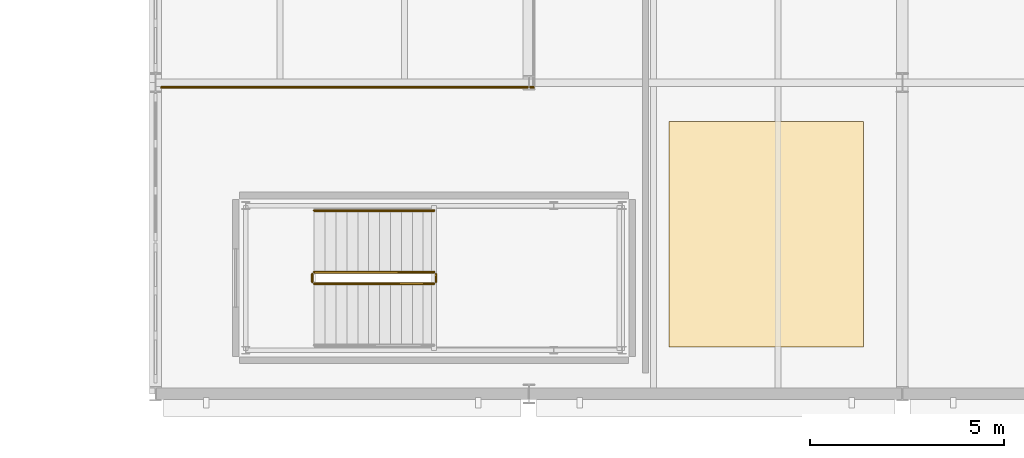
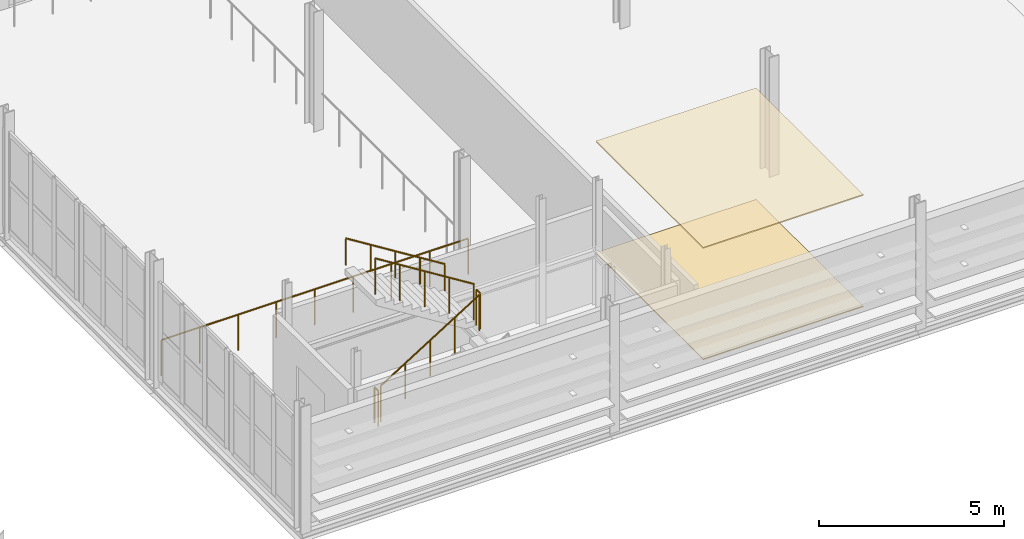
# One storey, part 68 of 78: 6 railings, 2 coverings.
"""IFC4 building model written with IfcOpenShell, lengths in metres."""

from ifc_helpers import new_model, si_unit, direction, frame, origin, origin_2d, place, context, subcontext, project, spatial, polyline, circle, outline, extrude, material, layer, layer_set, type_object, element, save


model = new_model("IFC4")

# Units and contexts
model_context = context("Model", 3, precision=1e-05, world=origin(), true_north=direction((0.0, 1.0)))
body_context = subcontext(model_context, "Body", "Model", "MODEL_VIEW")
ifc_project = project(units=[si_unit("LENGTHUNIT", "METRE"), si_unit("AREAUNIT", "SQUARE_METRE"), si_unit("VOLUMEUNIT", "CUBIC_METRE"), si_unit("PLANEANGLEUNIT", "RADIAN"), si_unit("MASSUNIT", "GRAM", prefix="KILO")], contexts=[model_context])

# Site, building, storey
site_placement = place(None, origin())
site = spatial("IfcSite", under=ifc_project, at=site_placement, CompositionType="ELEMENT")
building_placement = place(site_placement, origin())
building = spatial("IfcBuilding", under=site, at=building_placement, Name="Alderhovde Museum", CompositionType="ELEMENT")
storey_placement = place(building_placement, frame((0.0, 0.0, 4.5)))
storey = spatial("IfcBuildingStorey", under=building, at=storey_placement, Name="L01", CompositionType="ELEMENT", Elevation=4.5)

# Coverings
ifc_material_1 = material(Name="Perforated Gypsum Acoustic Ceiling")
ifc_layer_1 = layer(ifc_material_1, 0.0400390625)
ifc_layer_set_1 = layer_set([ifc_layer_1], Name="Perforated Gypsum Acoustic Ceiling")
covering_type_1 = type_object("IfcCoveringType", Name="COV-CEIL-ACOU", PredefinedType="CEILING", material=ifc_layer_set_1)
covering_1_placement = place(storey_placement, frame((0.0, 0.0, 3.669921875)))
element("IfcCovering", 1, at=covering_1_placement, inside=storey, type_object=covering_type_1, Name="L01 Acoustic Gallery Ceiling 3", PredefinedType="CEILING", context=body_context, shape_type="SweptSolid", body=[
    extrude(outline(polyline([(32.39990234375, 49.199951171875), (37.39990234375, 49.199951171875), (37.39990234375, 55.0), (32.39990234375, 55.0), (32.39990234375, 49.199951171875)])), origin(), (0.0, 0.0, 1.0), 0.0400390625),
])
ifc_material_2 = material(Name="Honed Nordic Granite Terrazzo Flooring", Category="masonry")
ifc_layer_2 = layer(ifc_material_2, 0.030029296875)
ifc_layer_set_2 = layer_set([ifc_layer_2], Name="Honed Nordic Granite Terrazzo Flooring")
covering_type_2 = type_object("IfcCoveringType", Name="COV-FLR-TERRAZZO", PredefinedType="FLOORING", material=ifc_layer_set_2)
covering_2_placement = place(storey_placement, origin())
element("IfcCovering", 2, at=covering_2_placement, inside=storey, type_object=covering_type_2, Name="L01 Granite Terrazzo Flooring 3", PredefinedType="FLOORING", context=body_context, shape_type="SweptSolid", body=[
    extrude(outline(polyline([(32.39990234375, 49.199951171875), (37.39990234375, 49.199951171875), (37.39990234375, 55.0), (32.39990234375, 55.0), (32.39990234375, 49.199951171875)])), origin(), (0.0, 0.0, 1.0), 0.030029296875),
])

# Railings
ifc_material_3 = material(Name="Painted Steel S355 Guardrail", Category="steel")
railing_type_1 = type_object("IfcRailingType", Name="RL-GUARD-1200", PredefinedType="GUARDRAIL", material=ifc_material_3)
railing_1_placement = place(storey_placement, frame((23.280029296875, 50.830078125, 0.175048828125)))
element("IfcRailing", 3, at=railing_1_placement, inside=storey, type_object=railing_type_1, Name="L01 ST1 stair guard 1", PredefinedType="GUARDRAIL", context=body_context, shape_type="SweptSolid", body=[
    extrude(circle(Radius=0.02392578125, at=origin_2d()), frame((0.0, 0.0, 1.17578125), z_axis=(0.847998304005, 0.0, 0.529998940003), x_axis=(0.0, 1.0, 0.0)), (0.0, 0.0, 1.0), 3.632080078125),
    extrude(circle(Radius=0.02099609375, at=origin_2d()), origin(), (0.0, 0.0, 1.0), 1.15185546875),
    extrude(circle(Radius=0.02099609375, at=origin_2d()), frame((0.77001953125, 0.0, 0.481201171875)), (0.0, 0.0, 1.0), 1.15185546875),
    extrude(circle(Radius=0.02099609375, at=origin_2d()), frame((1.5400390625, 0.0, 0.96240234375)), (0.0, 0.0, 1.0), 1.15185546875),
    extrude(circle(Radius=0.02099609375, at=origin_2d()), frame((2.31005859375, 0.0, 1.44384765625)), (0.0, 0.0, 1.0), 1.15185546875),
    extrude(circle(Radius=0.02099609375, at=origin_2d()), frame((3.080078125, 0.0, 1.925048828125)), (0.0, 0.0, 1.0), 1.15185546875),
])
railing_2_placement = place(storey_placement, frame((26.409912109375, 50.8798828125, 2.10009765625)))
element("IfcRailing", 4, at=railing_2_placement, inside=storey, type_object=railing_type_1, Name="L01 ST1 stair guard 2", PredefinedType="GUARDRAIL", context=body_context, shape_type="SweptSolid", body=[
    extrude(circle(Radius=0.02392578125, at=origin_2d()), frame((0.0, 0.0, 1.17578125), z_axis=(0.0, 1.0, 0.0), x_axis=(-1.0, 0.0, 0.0)), (0.0, 0.0, 1.0), 0.2001953125),
    extrude(circle(Radius=0.02099609375, at=origin_2d()), origin(), (0.0, 0.0, 1.0), 1.15185546875),
    extrude(circle(Radius=0.02099609375, at=origin_2d()), frame((0.0, 0.2001953125, 0.0)), (0.0, 0.0, 1.0), 1.15185546875),
])
railing_3_placement = place(storey_placement, frame((26.360107421875, 51.1298828125, 2.27490234375)))
element("IfcRailing", 5, at=railing_3_placement, inside=storey, type_object=railing_type_1, Name="L01 ST1 stair guard 3", PredefinedType="GUARDRAIL", context=body_context, shape_type="SweptSolid", body=[
    extrude(circle(Radius=0.02392578125, at=origin_2d()), frame((0.0, 0.0, 1.17578125), z_axis=(-0.847998304005, 0.0, 0.529998940003), x_axis=(0.0, -1.0, 0.0)), (0.0, 0.0, 1.0), 3.632080078125),
    extrude(circle(Radius=0.02099609375, at=origin_2d()), origin(), (0.0, 0.0, 1.0), 1.15185546875),
    extrude(circle(Radius=0.02099609375, at=origin_2d()), frame((-0.77001953125, 0.0, 0.481201171875)), (0.0, 0.0, 1.0), 1.15185546875),
    extrude(circle(Radius=0.02099609375, at=origin_2d()), frame((-1.5400390625, 0.0, 0.96240234375)), (0.0, 0.0, 1.0), 1.15185546875),
    extrude(circle(Radius=0.02099609375, at=origin_2d()), frame((-2.31005859375, 0.0, 1.44384765625)), (0.0, 0.0, 1.0), 1.15185546875),
    extrude(circle(Radius=0.02099609375, at=origin_2d()), frame((-3.080078125, 0.0, 1.925048828125)), (0.0, 0.0, 1.0), 1.15185546875),
])
railing_4_placement = place(storey_placement, frame((23.22998046875, 50.8798828125, 0.0)))
element("IfcRailing", 6, at=railing_4_placement, inside=storey, type_object=railing_type_1, Name="L01 ST1 stair guard 4", PredefinedType="GUARDRAIL", context=body_context, shape_type="SweptSolid", body=[
    extrude(circle(Radius=0.02392578125, at=origin_2d()), frame((0.0, 0.0, 1.17578125), z_axis=(0.0, 1.0, 0.0), x_axis=(-1.0, 0.0, 0.0)), (0.0, 0.0, 1.0), 0.2001953125),
    extrude(circle(Radius=0.02099609375, at=origin_2d()), origin(), (0.0, 0.0, 1.0), 1.15185546875),
    extrude(circle(Radius=0.02099609375, at=origin_2d()), frame((0.0, 0.2001953125, 0.0)), (0.0, 0.0, 1.0), 1.15185546875),
])
railing_5_placement = place(storey_placement, frame((19.35009765625, 55.8798828125, 0.0)))
element("IfcRailing", 7, at=railing_5_placement, inside=storey, type_object=railing_type_1, Name="L01 Entrance Foyer Void Guardrail S", PredefinedType="GUARDRAIL", context=body_context, shape_type="SweptSolid", body=[
    extrude(circle(Radius=0.02392578125, at=origin_2d()), frame((0.0, 0.0, 1.17578125), z_axis=(1.0, 0.0, 0.0), x_axis=(0.0, 1.0, 0.0)), (0.0, 0.0, 1.0), 9.56982421875),
    extrude(circle(Radius=0.02099609375, at=origin_2d()), origin(), (0.0, 0.0, 1.0), 1.15185546875),
    extrude(circle(Radius=0.02099609375, at=origin_2d()), frame((1.1962890625, 0.0, 0.0)), (0.0, 0.0, 1.0), 1.15185546875),
    extrude(circle(Radius=0.02099609375, at=origin_2d()), frame((2.392578125, 0.0, 0.0)), (0.0, 0.0, 1.0), 1.15185546875),
    extrude(circle(Radius=0.02099609375, at=origin_2d()), frame((3.588623046875, 0.0, 0.0)), (0.0, 0.0, 1.0), 1.15185546875),
    extrude(circle(Radius=0.02099609375, at=origin_2d()), frame((4.784912109375, 0.0, 0.0)), (0.0, 0.0, 1.0), 1.15185546875),
    extrude(circle(Radius=0.02099609375, at=origin_2d()), frame((5.981201171875, 0.0, 0.0)), (0.0, 0.0, 1.0), 1.15185546875),
    extrude(circle(Radius=0.02099609375, at=origin_2d()), frame((7.17724609375, 0.0, 0.0)), (0.0, 0.0, 1.0), 1.15185546875),
    extrude(circle(Radius=0.02099609375, at=origin_2d()), frame((8.37353515625, 0.0, 0.0)), (0.0, 0.0, 1.0), 1.15185546875),
    extrude(circle(Radius=0.02099609375, at=origin_2d()), frame((9.56982421875, 0.0, 0.0)), (0.0, 0.0, 1.0), 1.15185546875),
])
ifc_material_4 = material(Name="Brushed Stainless Steel Handrail", Category="steel")
railing_type_2 = type_object("IfcRailingType", Name="RL-HANDRAIL-900", PredefinedType="HANDRAIL", material=ifc_material_4)
railing_6_placement = place(storey_placement, frame((26.360107421875, 52.7099609375, 2.27490234375)))
element("IfcRailing", 8, at=railing_6_placement, inside=storey, type_object=railing_type_2, Name="L01 ST1 stair handrail 2", PredefinedType="HANDRAIL", context=body_context, shape_type="SweptSolid", body=[
    extrude(circle(Radius=0.02392578125, at=origin_2d()), frame((0.0, 0.0, 0.8759765625), z_axis=(-0.847998304005, 0.0, 0.529998940003), x_axis=(0.0, -1.0, 0.0)), (0.0, 0.0, 1.0), 3.632080078125),
    extrude(circle(Radius=0.02099609375, at=origin_2d()), origin(), (0.0, 0.0, 1.0), 0.851806640625),
    extrude(circle(Radius=0.02099609375, at=origin_2d()), frame((-0.77001953125, 0.0, 0.481201171875)), (0.0, 0.0, 1.0), 0.851806640625),
    extrude(circle(Radius=0.02099609375, at=origin_2d()), frame((-1.5400390625, 0.0, 0.96240234375)), (0.0, 0.0, 1.0), 0.851806640625),
    extrude(circle(Radius=0.02099609375, at=origin_2d()), frame((-2.31005859375, 0.0, 1.44384765625)), (0.0, 0.0, 1.0), 0.851806640625),
    extrude(circle(Radius=0.02099609375, at=origin_2d()), frame((-3.080078125, 0.0, 1.925048828125)), (0.0, 0.0, 1.0), 0.851806640625),
])

save(model, "model.ifc")
